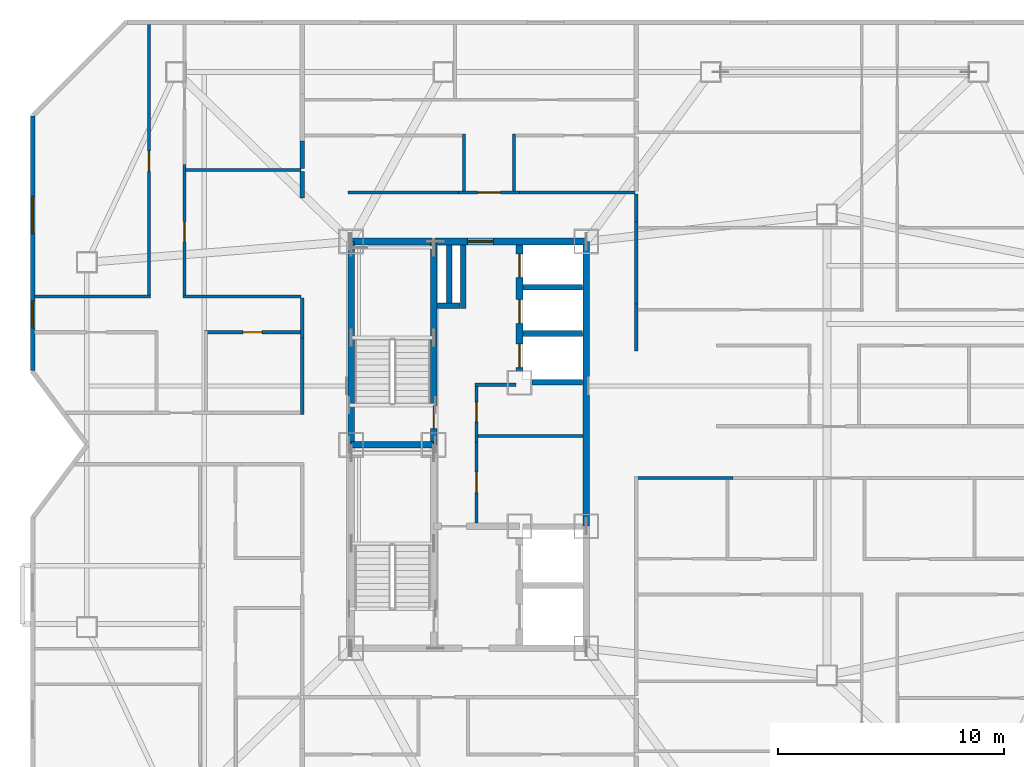
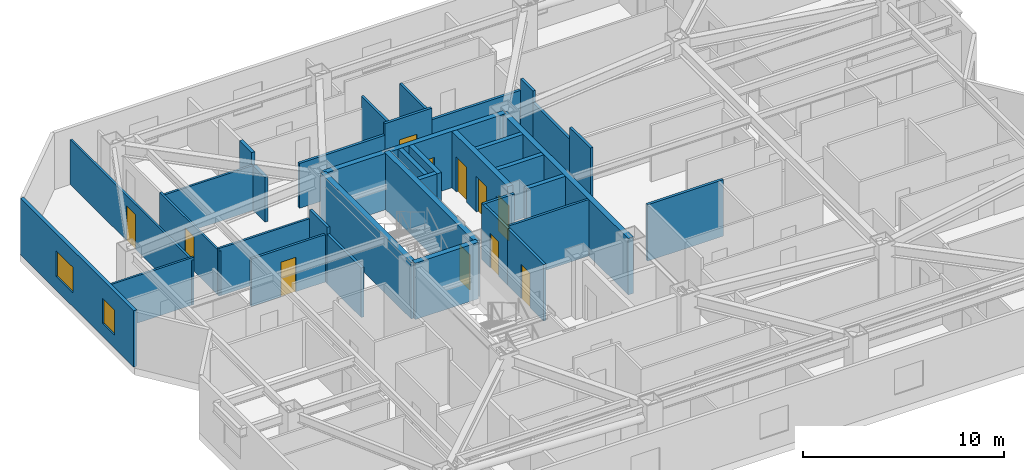
# One storey, part 7 of 11: 36 walls, 11 doors, 2 windows, 13 openings.
"""IFC4 building model written with IfcOpenShell, lengths in metres."""

from ifc_helpers import new_model, si_unit, direction, frame, frame_2d, origin, place, context, subcontext, project, spatial, rectangle, extrude, material, layer, layer_set, type_object, element, fill, save


model = new_model("IFC4")

# Units and contexts
model_context = context("Model", 3, precision=1e-05, world=origin(), true_north=direction((0.0, 1.0)))
body_context = subcontext(model_context, "Body", "Model", "MODEL_VIEW")
ifc_project = project(units=[si_unit("LENGTHUNIT", "METRE"), si_unit("AREAUNIT", "SQUARE_METRE"), si_unit("VOLUMEUNIT", "CUBIC_METRE"), si_unit("PLANEANGLEUNIT", "RADIAN"), si_unit("MASSUNIT", "GRAM", prefix="KILO")], contexts=[model_context])

# Site, building, storey
site_placement = place(None, origin())
site = spatial("IfcSite", under=ifc_project, at=site_placement, CompositionType="ELEMENT")
building_placement = place(site_placement, origin())
building = spatial("IfcBuilding", under=site, at=building_placement, Name="Khamvora Tower", CompositionType="ELEMENT")
storey_placement = place(building_placement, frame((0.0, 0.0, 155.89990234375)))
storey = spatial("IfcBuildingStorey", under=building, at=storey_placement, Name="L39", CompositionType="ELEMENT", Elevation=155.89990234375)

# Wall
ifc_material_1 = material(Name="Concrete C50/60", Category="concrete")
ifc_layer_1 = layer(ifc_material_1, 0.300048828125)
ifc_layer_set_1 = layer_set([ifc_layer_1], Name="Concrete C50/60")
wall_type_1 = type_object("IfcWallType", Name="WAL-CORE-300", PredefinedType="SHEAR", material=ifc_layer_set_1)
wall_1_placement = place(storey_placement, frame((29.0, 28.0, 0.0), z_axis=(0.0, 0.0, 1.0), x_axis=(0.0, 1.0, 0.0)))
element("IfcWall", 1, at=wall_1_placement, inside=storey, type_object=wall_type_1, Name="L39 central core west north wall", PredefinedType="SHEAR", context=body_context, shape_type="SweptSolid", body=[
    extrude(rectangle(XDim=9.0, YDim=0.300048828125, at=frame_2d((4.5, 0.0))), origin(), (0.0, 0.0, 1.0), 3.43017578125),
])

# Wall, opening, door
wall_2_placement = place(storey_placement, frame((29.0, 37.0, 0.0), z_axis=(0.0, 0.0, 1.0), x_axis=(1.0, 0.0, 0.0)))
wall_2 = element("IfcWall", 2, at=wall_2_placement, inside=storey, type_object=wall_type_1, Name="L39 central core north wall", PredefinedType="SHEAR", context=body_context, shape_type="SweptSolid", body=[
    extrude(rectangle(XDim=10.39990234375, YDim=0.300048828125, at=frame_2d((5.199951171875, 0.0))), origin(), (0.0, 0.0, 1.0), 3.43017578125),
])
opening_1_placement = place(wall_2_placement, frame((5.139892578125, 0.0, 0.0)))
opening_1 = element("IfcOpeningElement", 3, at=opening_1_placement, cuts=wall_2, Name="Opening D-SC1", PredefinedType="OPENING", context=body_context, shape_type="SweptSolid", body=[
    extrude(rectangle(XDim=1.14990234375, YDim=2.199951171875, at=frame_2d((0.574951171875, 1.10009765625))), frame((0.0, 0.159912109375, 0.0), z_axis=(0.0, -1.0, 0.0), x_axis=(1.0, 0.0, 0.0)), (0.0, 0.0, 1.0), 0.320068359375),
])
ifc_material_2 = material(Name="Powder-Coated Steel and Hardwood Leaf", Category="steel")
door_type_1 = type_object("IfcDoorType", Name="DOR-SCHL-1150", OperationType="NOTDEFINED", PredefinedType="DOOR", material=ifc_material_2)
door_1_placement = place(opening_1_placement, origin())
door_1 = element("IfcDoor", 4, at=door_1_placement, inside=storey, type_object=door_type_1, Name="L39 north core lobby to corridor fire door", OperationType="SINGLE_SWING_LEFT", OverallHeight=2.199951171875, OverallWidth=1.14990234375, PredefinedType="DOOR", context=body_context, shape_type="SweptSolid", body=[
    extrude(rectangle(XDim=1.14990234375, YDim=2.199951171875, at=frame_2d((0.574951171875, 1.10009765625))), frame((0.0, 0.02490234375, 0.0), z_axis=(0.0, -1.0, 0.0), x_axis=(1.0, 0.0, 0.0)), (0.0, 0.0, 1.0), 0.050048828125),
])
fill(opening_1, door_1)

# Wall
wall_3_placement = place(storey_placement, frame((39.39990234375, 24.39990234375, 0.0), z_axis=(0.0, 0.0, 1.0), x_axis=(0.0, 1.0, 0.0)))
element("IfcWall", 5, at=wall_3_placement, inside=storey, type_object=wall_type_1, Name="L39 central core east north wall", PredefinedType="SHEAR", context=body_context, shape_type="SweptSolid", body=[
    extrude(rectangle(XDim=12.60009765625, YDim=0.300048828125, at=frame_2d((6.300048828125, 0.0))), origin(), (0.0, 0.0, 1.0), 3.43017578125),
])

# Wall, opening, door
wall_4_placement = place(storey_placement, frame((32.64990234375, 28.0, 0.0), z_axis=(0.0, 0.0, 1.0), x_axis=(0.0, 1.0, 0.0)))
wall_4 = element("IfcWall", 6, at=wall_4_placement, inside=storey, type_object=wall_type_1, Name="L39 central core stair north spine wall", PredefinedType="SHEAR", context=body_context, shape_type="SweptSolid", body=[
    extrude(rectangle(XDim=9.0, YDim=0.300048828125, at=frame_2d((4.5, 0.0))), origin(), (0.0, 0.0, 1.0), 3.43017578125),
])
opening_2_placement = place(wall_4_placement, frame((0.719970703125, 0.0, 0.0)))
opening_2 = element("IfcOpeningElement", 7, at=opening_2_placement, cuts=wall_4, Name="Opening D-ST1", PredefinedType="OPENING", context=body_context, shape_type="SweptSolid", body=[
    extrude(rectangle(XDim=1.0, YDim=2.14990234375, at=frame_2d((0.5, 1.074951171875))), frame((0.0, 0.159912109375, 0.0), z_axis=(0.0, -1.0, 0.0), x_axis=(1.0, 0.0, 0.0)), (0.0, 0.0, 1.0), 0.320068359375),
])
door_type_2 = type_object("IfcDoorType", Name="DOR-STAIR-1000", OperationType="NOTDEFINED", PredefinedType="DOOR", material=ifc_material_2)
door_2_placement = place(opening_2_placement, origin())
door_2 = element("IfcDoor", 8, at=door_2_placement, inside=storey, type_object=door_type_2, Name="L39 exit stair ST-02 fire door", OperationType="SINGLE_SWING_RIGHT", OverallHeight=2.14990234375, OverallWidth=1.0, PredefinedType="DOOR", context=body_context, shape_type="SweptSolid", body=[
    extrude(rectangle(XDim=1.0, YDim=2.14990234375, at=frame_2d((0.5, 1.074951171875))), frame((0.0, 0.02490234375, 0.0), z_axis=(0.0, -1.0, 0.0), x_axis=(1.0, 0.0, 0.0)), (0.0, 0.0, 1.0), 0.050048828125),
])
fill(opening_2, door_2)

# Wall
wall_5_placement = place(storey_placement, frame((29.0, 28.0, 0.0), z_axis=(0.0, 0.0, 1.0), x_axis=(1.0, 0.0, 0.0)))
element("IfcWall", 9, at=wall_5_placement, inside=storey, type_object=wall_type_1, Name="L39 central core stair cross wall", PredefinedType="SHEAR", context=body_context, shape_type="SweptSolid", body=[
    extrude(rectangle(XDim=3.64990234375, YDim=0.300048828125, at=frame_2d((1.824951171875, 0.0))), origin(), (0.0, 0.0, 1.0), 3.43017578125),
])

# Wall, openings, doors
wall_6_placement = place(storey_placement, frame((36.449951171875, 31.300048828125, 0.0), z_axis=(0.0, 0.0, 1.0), x_axis=(0.0, 1.0, 0.0)))
wall_6 = element("IfcWall", 10, at=wall_6_placement, inside=storey, type_object=wall_type_1, Name="L39 central core lift bank central wall", PredefinedType="SHEAR", context=body_context, shape_type="SweptSolid", body=[
    extrude(rectangle(XDim=5.5458984375, YDim=0.300048828125, at=frame_2d((2.77294921875, 0.0))), origin(), (0.0, 0.0, 1.0), 3.43017578125),
])
opening_3_placement = place(wall_6_placement, frame((0.1201171875, 0.0, 0.0)))
opening_3 = element("IfcOpeningElement", 11, at=opening_3_placement, cuts=wall_6, Name="Opening LD-PL", PredefinedType="OPENING", context=body_context, shape_type="SweptSolid", body=[
    extrude(rectangle(XDim=1.050048828125, YDim=2.14990234375, at=frame_2d((0.52490234375, 1.074951171875))), frame((0.0, 0.159912109375, 0.0), z_axis=(0.0, -1.0, 0.0), x_axis=(1.0, 0.0, 0.0)), (0.0, 0.0, 1.0), 0.320068359375),
])
opening_4_placement = place(wall_6_placement, frame((2.074951171875, 0.0, 0.0)))
opening_4 = element("IfcOpeningElement", 12, at=opening_4_placement, cuts=wall_6, Name="Opening LD-PL", PredefinedType="OPENING", context=body_context, shape_type="SweptSolid", body=[
    extrude(rectangle(XDim=1.050048828125, YDim=2.14990234375, at=frame_2d((0.52490234375, 1.074951171875))), frame((0.0, 0.159912109375, 0.0), z_axis=(0.0, -1.0, 0.0), x_axis=(1.0, 0.0, 0.0)), (0.0, 0.0, 1.0), 0.320068359375),
])
opening_5_placement = place(wall_6_placement, frame((4.094970703125, 0.0, 0.0)))
opening_5 = element("IfcOpeningElement", 13, at=opening_5_placement, cuts=wall_6, Name="Opening LD-PL", PredefinedType="OPENING", context=body_context, shape_type="SweptSolid", body=[
    extrude(rectangle(XDim=1.050048828125, YDim=2.14990234375, at=frame_2d((0.52490234375, 1.074951171875))), frame((0.0, 0.159912109375, 0.0), z_axis=(0.0, -1.0, 0.0), x_axis=(1.0, 0.0, 0.0)), (0.0, 0.0, 1.0), 0.320068359375),
])
door_type_3 = type_object("IfcDoorType", Name="DOR-LIFT-1050", OperationType="SLIDING_TO_LEFT", PredefinedType="DOOR", material=ifc_material_2)
door_3_placement = place(opening_3_placement, origin())
door_3 = element("IfcDoor", 14, at=door_3_placement, inside=storey, type_object=door_type_3, Name="L39 lift landing sliding door PH-01", OperationType="SLIDING_TO_LEFT", OverallHeight=2.14990234375, OverallWidth=1.050048828125, PredefinedType="DOOR", context=body_context, shape_type="SweptSolid", body=[
    extrude(rectangle(XDim=1.050048828125, YDim=2.14990234375, at=frame_2d((0.52490234375, 1.074951171875))), frame((0.0, 0.02490234375, 0.0), z_axis=(0.0, -1.0, 0.0), x_axis=(1.0, 0.0, 0.0)), (0.0, 0.0, 1.0), 0.050048828125),
])
fill(opening_3, door_3)
door_4_placement = place(opening_4_placement, origin())
door_4 = element("IfcDoor", 15, at=door_4_placement, inside=storey, type_object=door_type_3, Name="L39 lift landing sliding door PH-02", OperationType="SLIDING_TO_LEFT", OverallHeight=2.14990234375, OverallWidth=1.050048828125, PredefinedType="DOOR", context=body_context, shape_type="SweptSolid", body=[
    extrude(rectangle(XDim=1.050048828125, YDim=2.14990234375, at=frame_2d((0.52490234375, 1.074951171875))), frame((0.0, 0.02490234375, 0.0), z_axis=(0.0, -1.0, 0.0), x_axis=(1.0, 0.0, 0.0)), (0.0, 0.0, 1.0), 0.050048828125),
])
fill(opening_4, door_4)
door_5_placement = place(opening_5_placement, origin())
door_5 = element("IfcDoor", 16, at=door_5_placement, inside=storey, type_object=door_type_3, Name="L39 lift landing sliding door PH-03", OperationType="SLIDING_TO_LEFT", OverallHeight=2.14990234375, OverallWidth=1.050048828125, PredefinedType="DOOR", context=body_context, shape_type="SweptSolid", body=[
    extrude(rectangle(XDim=1.050048828125, YDim=2.14990234375, at=frame_2d((0.52490234375, 1.074951171875))), frame((0.0, 0.02490234375, 0.0), z_axis=(0.0, -1.0, 0.0), x_axis=(1.0, 0.0, 0.0)), (0.0, 0.0, 1.0), 0.050048828125),
])
fill(opening_5, door_5)

# Wall
ifc_material_3 = material(Name="Fire-Rated Drywall and Steel Stud", Category="steel")
ifc_layer_2 = layer(ifc_material_3, 0.14990234375)
ifc_layer_set_2 = layer_set([ifc_layer_2], Name="Fire-Rated Drywall and Steel Stud")
wall_type_2 = type_object("IfcWallType", Name="WAL-CORR-150", PredefinedType="STANDARD", material=ifc_layer_set_2)
wall_7_placement = place(storey_placement, frame((36.300048828125, 30.6650390625, 0.0), z_axis=(0.0, 0.0, 1.0), x_axis=(-1.0, 0.0, 0.0)))
element("IfcWall", 17, at=wall_7_placement, inside=storey, type_object=wall_type_2, Name="L39 interior partition wall 001", PredefinedType="STANDARD", context=body_context, shape_type="SweptSolid", body=[
    extrude(rectangle(XDim=1.820068359375, YDim=0.14990234375, at=frame_2d((0.91015625, 0.0))), origin(), (0.0, 0.0, 1.0), 3.43017578125),
])

# Wall, opening, door
wall_8_placement = place(storey_placement, frame((34.544921875, 30.72998046875, 0.0), z_axis=(0.0, 0.0, 1.0), x_axis=(0.0, -1.0, 0.0)))
wall_8 = element("IfcWall", 18, at=wall_8_placement, inside=storey, type_object=wall_type_2, Name="L39 interior partition wall 002", PredefinedType="STANDARD", context=body_context, shape_type="SweptSolid", body=[
    extrude(rectangle(XDim=2.593994140625, YDim=0.14990234375, at=frame_2d((1.296875, 0.0))), origin(), (0.0, 0.0, 1.0), 3.43017578125),
])
opening_6_placement = place(wall_8_placement, frame((0.85107421875, 0.0, 0.0)))
opening_6 = element("IfcOpeningElement", 19, at=opening_6_placement, cuts=wall_8, Name="Opening D-WC1", PredefinedType="OPENING", context=body_context, shape_type="SweptSolid", body=[
    extrude(rectangle(XDim=0.85009765625, YDim=2.10009765625, at=frame_2d((0.425048828125, 1.050048828125))), frame((0.0, 0.0849609375, 0.0), z_axis=(0.0, -1.0, 0.0), x_axis=(1.0, 0.0, 0.0)), (0.0, 0.0, 1.0), 0.169921875),
])
door_type_4 = type_object("IfcDoorType", Name="DOR-WET-850", OperationType="NOTDEFINED", PredefinedType="DOOR", material=ifc_material_2)
door_6_placement = place(opening_6_placement, origin())
door_6 = element("IfcDoor", 20, at=door_6_placement, inside=storey, type_object=door_type_4, Name="L39 interior door PHL-CS1", OperationType="SINGLE_SWING_RIGHT", OverallHeight=2.10009765625, OverallWidth=0.85009765625, PredefinedType="DOOR", context=body_context, shape_type="SweptSolid", body=[
    extrude(rectangle(XDim=0.85009765625, YDim=2.10009765625, at=frame_2d((0.425048828125, 1.050048828125))), frame((0.0, 0.02490234375, 0.0), z_axis=(0.0, -1.0, 0.0), x_axis=(1.0, 0.0, 0.0)), (0.0, 0.0, 1.0), 0.050048828125),
])
fill(opening_6, door_6)

wall_9_placement = place(storey_placement, frame((34.544921875, 28.135986328125, 0.0), z_axis=(0.0, 0.0, 1.0), x_axis=(0.0, -1.0, 0.0)))
wall_9 = element("IfcWall", 21, at=wall_9_placement, inside=storey, type_object=wall_type_2, Name="L39 interior partition wall 003", PredefinedType="STANDARD", context=body_context, shape_type="SweptSolid", body=[
    extrude(rectangle(XDim=3.592041015625, YDim=0.14990234375, at=frame_2d((1.7958984375, 0.0))), origin(), (0.0, 0.0, 1.0), 3.43017578125),
])
opening_7_placement = place(wall_9_placement, frame((1.345947265625, 0.0, 0.0)))
opening_7 = element("IfcOpeningElement", 22, at=opening_7_placement, cuts=wall_9, Name="Opening D-RM1", PredefinedType="OPENING", context=body_context, shape_type="SweptSolid", body=[
    extrude(rectangle(XDim=0.89990234375, YDim=2.10009765625, at=frame_2d((0.449951171875, 1.050048828125))), frame((0.0, 0.0849609375, 0.0), z_axis=(0.0, -1.0, 0.0), x_axis=(1.0, 0.0, 0.0)), (0.0, 0.0, 1.0), 0.169921875),
])
door_type_5 = type_object("IfcDoorType", Name="DOR-ROOM-900", OperationType="NOTDEFINED", PredefinedType="DOOR", material=ifc_material_2)
door_7_placement = place(opening_7_placement, origin())
door_7 = element("IfcDoor", 23, at=door_7_placement, inside=storey, type_object=door_type_5, Name="L39 interior door PHL-CS2", OperationType="SINGLE_SWING_LEFT", OverallHeight=2.10009765625, OverallWidth=0.89990234375, PredefinedType="DOOR", context=body_context, shape_type="SweptSolid", body=[
    extrude(rectangle(XDim=0.89990234375, YDim=2.10009765625, at=frame_2d((0.449951171875, 1.050048828125))), frame((0.0, 0.02490234375, 0.0), z_axis=(0.0, -1.0, 0.0), x_axis=(1.0, 0.0, 0.0)), (0.0, 0.0, 1.0), 0.050048828125),
])
fill(opening_7, door_7)

# Walls
wall_10_placement = place(storey_placement, frame((26.8349609375, 32.73388671875, 0.0), z_axis=(0.0, 0.0, 1.0), x_axis=(0.0, 1.0, 0.0)))
element("IfcWall", 24, at=wall_10_placement, inside=storey, type_object=wall_type_2, Name="L39 interior partition wall 012", PredefinedType="STANDARD", context=body_context, shape_type="SweptSolid", body=[
    extrude(rectangle(XDim=1.76611328125, YDim=0.14990234375, at=frame_2d((0.883056640625, 0.0))), origin(), (0.0, 0.0, 1.0), 3.43017578125),
])
wall_11_placement = place(storey_placement, frame((26.8349609375, 29.35205078125, 0.0), z_axis=(0.0, 0.0, 1.0), x_axis=(0.0, 1.0, 0.0)))
element("IfcWall", 25, at=wall_11_placement, inside=storey, type_object=wall_type_2, Name="L39 interior partition wall 014", PredefinedType="STANDARD", context=body_context, shape_type="SweptSolid", body=[
    extrude(rectangle(XDim=3.3818359375, YDim=0.14990234375, at=frame_2d((1.69091796875, 0.0))), origin(), (0.0, 0.0, 1.0), 3.01318359375),
])

# Wall, opening, door
wall_12_placement = place(storey_placement, frame((33.75, 39.1650390625, 0.0), z_axis=(0.0, 0.0, 1.0), x_axis=(1.0, 0.0, 0.0)))
wall_12 = element("IfcWall", 26, at=wall_12_placement, inside=storey, type_object=wall_type_2, Name="L39 interior partition wall 019", PredefinedType="STANDARD", context=body_context, shape_type="SweptSolid", body=[
    extrude(rectangle(XDim=2.697998046875, YDim=0.14990234375, at=frame_2d((1.34912109375, 0.0))), origin(), (0.0, 0.0, 1.0), 3.43017578125),
])
opening_8_placement = place(wall_12_placement, frame((0.84912109375, 0.0, 0.0)))
opening_8 = element("IfcOpeningElement", 27, at=opening_8_placement, cuts=wall_12, Name="Opening D-U1", PredefinedType="OPENING", context=body_context, shape_type="SweptSolid", body=[
    extrude(rectangle(XDim=1.0, YDim=2.14990234375, at=frame_2d((0.5, 1.074951171875))), frame((0.0, 0.0849609375, 0.0), z_axis=(0.0, -1.0, 0.0), x_axis=(1.0, 0.0, 0.0)), (0.0, 0.0, 1.0), 0.169921875),
])
door_type_6 = type_object("IfcDoorType", Name="DOR-UNIT-1000", OperationType="NOTDEFINED", PredefinedType="DOOR", material=ifc_material_2)
door_8_placement = place(opening_8_placement, origin())
door_8 = element("IfcDoor", 28, at=door_8_placement, inside=storey, type_object=door_type_6, Name="L39 interior door COR-39NAH", OperationType="SINGLE_SWING_LEFT", OverallHeight=2.14990234375, OverallWidth=1.0, PredefinedType="DOOR", context=body_context, shape_type="SweptSolid", body=[
    extrude(rectangle(XDim=1.0, YDim=2.14990234375, at=frame_2d((0.5, 1.074951171875))), frame((0.0, 0.02490234375, 0.0), z_axis=(0.0, -1.0, 0.0), x_axis=(1.0, 0.0, 0.0)), (0.0, 0.0, 1.0), 0.050048828125),
])
fill(opening_8, door_8)

# Walls
wall_13_placement = place(storey_placement, frame((36.447998046875, 39.1650390625, 0.0), z_axis=(0.0, 0.0, 1.0), x_axis=(1.0, 0.0, 0.0)))
element("IfcWall", 29, at=wall_13_placement, inside=storey, type_object=wall_type_2, Name="L39 interior partition wall 020", PredefinedType="STANDARD", context=body_context, shape_type="SweptSolid", body=[
    extrude(rectangle(XDim=5.10205078125, YDim=0.14990234375, at=frame_2d((2.551025390625, 0.0))), origin(), (0.0, 0.0, 1.0), 2.72509765625),
])
wall_14_placement = place(storey_placement, frame((28.85009765625, 39.1650390625, 0.0), z_axis=(0.0, 0.0, 1.0), x_axis=(1.0, 0.0, 0.0)))
element("IfcWall", 30, at=wall_14_placement, inside=storey, type_object=wall_type_2, Name="L39 interior partition wall 021", PredefinedType="STANDARD", context=body_context, shape_type="SweptSolid", body=[
    extrude(rectangle(XDim=4.89990234375, YDim=0.14990234375, at=frame_2d((2.449951171875, 0.0))), origin(), (0.0, 0.0, 1.0), 2.72509765625),
])
wall_15_placement = place(storey_placement, frame((45.902099609375, 26.534912109375, 0.0), z_axis=(0.0, 0.0, 1.0), x_axis=(-1.0, 0.0, 0.0)))
element("IfcWall", 31, at=wall_15_placement, inside=storey, type_object=wall_type_2, Name="L39 interior partition wall 022", PredefinedType="STANDARD", context=body_context, shape_type="SweptSolid", body=[
    extrude(rectangle(XDim=4.35205078125, YDim=0.14990234375, at=frame_2d((2.176025390625, 0.0))), origin(), (0.0, 0.0, 1.0), 3.43017578125),
])
wall_16_placement = place(storey_placement, frame((41.614990234375, 34.22412109375, 0.0), z_axis=(0.0, 0.0, 1.0), x_axis=(0.0, -1.0, 0.0)))
element("IfcWall", 32, at=wall_16_placement, inside=storey, type_object=wall_type_2, Name="L39 interior partition wall 032", PredefinedType="STANDARD", context=body_context, shape_type="SweptSolid", body=[
    extrude(rectangle(XDim=2.078125, YDim=0.14990234375, at=frame_2d((1.0390625, 0.0))), origin(), (0.0, 0.0, 1.0), 3.43017578125),
])
wall_17_placement = place(storey_placement, frame((41.614990234375, 37.862060546875, 0.0), z_axis=(0.0, 0.0, 1.0), x_axis=(0.0, -1.0, 0.0)))
element("IfcWall", 33, at=wall_17_placement, inside=storey, type_object=wall_type_2, Name="L39 interior partition wall 036", PredefinedType="STANDARD", context=body_context, shape_type="SweptSolid", body=[
    extrude(rectangle(XDim=3.637939453125, YDim=0.14990234375, at=frame_2d((1.81884765625, 0.0))), origin(), (0.0, 0.0, 1.0), 2.72509765625),
])
wall_18_placement = place(storey_placement, frame((41.614990234375, 39.10009765625, 0.0), z_axis=(0.0, 0.0, 1.0), x_axis=(0.0, -1.0, 0.0)))
element("IfcWall", 34, at=wall_18_placement, inside=storey, type_object=wall_type_2, Name="L39 interior partition wall 037", PredefinedType="STANDARD", context=body_context, shape_type="SweptSolid", body=[
    extrude(rectangle(XDim=1.238037109375, YDim=0.14990234375, at=frame_2d((0.619140625, 0.0))), origin(), (0.0, 0.0, 1.0), 3.43017578125),
])
ifc_material_4 = material(Name="Acoustic Double-Stud Fire Wall", Category="gypsum")
ifc_layer_3 = layer(ifc_material_4, 0.179931640625)
ifc_layer_set_3 = layer_set([ifc_layer_3], Name="Acoustic Double-Stud Fire Wall")
wall_type_3 = type_object("IfcWallType", Name="WAL-CORR-180", PredefinedType="STANDARD", material=ifc_layer_set_3)
wall_19_placement = place(storey_placement, frame((26.8349609375, 40.094970703125, 0.0), z_axis=(0.0, 0.0, 1.0), x_axis=(0.0, -1.0, 0.0)))
element("IfcWall", 35, at=wall_19_placement, inside=storey, type_object=wall_type_3, Name="L39 interior partition wall 061", PredefinedType="STANDARD", context=body_context, shape_type="SweptSolid", body=[
    extrude(rectangle(XDim=1.178955078125, YDim=0.179931640625, at=frame_2d((0.58935546875, 0.0))), origin(), (0.0, 0.0, 1.0), 2.72509765625),
])
wall_20_placement = place(storey_placement, frame((26.8349609375, 41.446044921875, 0.0), z_axis=(0.0, 0.0, 1.0), x_axis=(0.0, -1.0, 0.0)))
element("IfcWall", 36, at=wall_20_placement, inside=storey, type_object=wall_type_3, Name="L39 interior partition wall 063", PredefinedType="STANDARD", context=body_context, shape_type="SweptSolid", body=[
    extrude(rectangle(XDim=1.220947265625, YDim=0.179931640625, at=frame_2d((0.6103515625, 0.0))), origin(), (0.0, 0.0, 1.0), 3.43017578125),
])

# Wall, openings, windows
ifc_material_5 = material(Name="Precast concrete C40/50", Category="concrete")
ifc_layer_4 = layer(ifc_material_5, 0.199951171875)
ifc_layer_set_4 = layer_set([ifc_layer_4], Name="Precast concrete C40/50")
wall_type_4 = type_object("IfcWallType", Name="WAL-EXT-200", PredefinedType="STANDARD", material=ifc_layer_set_4)
wall_21_placement = place(storey_placement, frame((14.89990234375, 31.283935546875, 0.0), z_axis=(0.0, 0.0, 1.0), x_axis=(0.0, 1.0, 0.0)))
wall_21 = element("IfcWall", 37, at=wall_21_placement, inside=storey, type_object=wall_type_4, Name="L39 exterior facade wall 05.1", PredefinedType="STANDARD", context=body_context, shape_type="SweptSolid", body=[
    extrude(rectangle(XDim=11.275146484375, YDim=0.199951171875, at=frame_2d((5.6376953125, 0.0))), origin(), (0.0, 0.0, 1.0), 3.43017578125),
])
opening_9_placement = place(wall_21_placement, frame((1.888916015625, 0.0, 0.800048828125)))
opening_9 = element("IfcOpeningElement", 38, at=opening_9_placement, cuts=wall_21, Name="Opening WN-03", PredefinedType="OPENING", context=body_context, shape_type="SweptSolid", body=[
    extrude(rectangle(XDim=1.199951171875, YDim=1.5, at=frame_2d((0.60009765625, 0.75))), frame((0.0, 0.10986328125, 0.0), z_axis=(0.0, -1.0, 0.0), x_axis=(1.0, 0.0, 0.0)), (0.0, 0.0, 1.0), 0.219970703125),
])
opening_10_placement = place(wall_21_placement, frame((6.06005859375, 0.0, 0.85009765625)))
opening_10 = element("IfcOpeningElement", 39, at=opening_10_placement, cuts=wall_21, Name="Opening WN-06", PredefinedType="OPENING", context=body_context, shape_type="SweptSolid", body=[
    extrude(rectangle(XDim=1.64990234375, YDim=1.550048828125, at=frame_2d((0.824951171875, 0.77490234375))), frame((0.0, 0.10986328125, 0.0), z_axis=(0.0, -1.0, 0.0), x_axis=(1.0, 0.0, 0.0)), (0.0, 0.0, 1.0), 0.219970703125),
])
ifc_material_6 = material(Name="Low-E Laminated Double Glazing", Category="glass")
window_type_1 = type_object("IfcWindowType", Name="WIN-VIS-1200x1500", PartitioningType="SINGLE_PANEL", PredefinedType="WINDOW", material=ifc_material_6)
window_1_placement = place(opening_9_placement, origin())
window_1 = element("IfcWindow", 40, at=window_1_placement, inside=storey, type_object=window_type_1, Name="L39 vision window 05.1.01", OverallHeight=1.5, OverallWidth=1.199951171875, PartitioningType="SINGLE_PANEL", PredefinedType="WINDOW", context=body_context, shape_type="SweptSolid", body=[
    extrude(rectangle(XDim=1.199951171875, YDim=1.5, at=frame_2d((0.60009765625, 0.75))), frame((0.0, 0.030029296875, 0.0), z_axis=(0.0, -1.0, 0.0), x_axis=(1.0, 0.0, 0.0)), (0.0, 0.0, 1.0), 0.06005859375),
])
fill(opening_9, window_1)
window_type_2 = type_object("IfcWindowType", Name="WIN-VIS-1650x1550", PartitioningType="SINGLE_PANEL", PredefinedType="WINDOW", material=ifc_material_6)
window_2_placement = place(opening_10_placement, origin())
window_2 = element("IfcWindow", 41, at=window_2_placement, inside=storey, type_object=window_type_2, Name="L39 vision window 05.1.02", OverallHeight=1.550048828125, OverallWidth=1.64990234375, PartitioningType="SINGLE_PANEL", PredefinedType="WINDOW", context=body_context, shape_type="SweptSolid", body=[
    extrude(rectangle(XDim=1.64990234375, YDim=1.550048828125, at=frame_2d((0.824951171875, 0.77490234375))), frame((0.0, 0.030029296875, 0.0), z_axis=(0.0, -1.0, 0.0), x_axis=(1.0, 0.0, 0.0)), (0.0, 0.0, 1.0), 0.06005859375),
])
fill(opening_10, window_2)

# Wall
ifc_material_7 = material(Name="Gypsum Plasterboard Partition", Category="gypsum")
ifc_layer_5 = layer(ifc_material_7, 0.1201171875)
ifc_layer_set_5 = layer_set([ifc_layer_5], Name="Gypsum Plasterboard Partition")
wall_type_5 = type_object("IfcWallType", Name="WAL-PART-120", PredefinedType="PARTITIONING", material=ifc_layer_set_5)
wall_22_placement = place(storey_placement, frame((14.991943359375, 34.56298828125, 0.0), z_axis=(0.0, 0.0, 1.0), x_axis=(1.0, 0.0, 0.0)))
element("IfcWall", 42, at=wall_22_placement, inside=storey, type_object=wall_type_5, Name="L39 interior partition wall 055", PredefinedType="PARTITIONING", context=body_context, shape_type="SweptSolid", body=[
    extrude(rectangle(XDim=5.128173828125, YDim=0.1201171875, at=frame_2d((2.56396484375, 0.0))), origin(), (0.0, 0.0, 1.0), 2.8759765625),
])

# Wall, opening, door
wall_23_placement = place(storey_placement, frame((20.054931640625, 34.498046875, 0.0), z_axis=(0.0, 0.0, 1.0), x_axis=(0.0, 1.0, 0.0)))
wall_23 = element("IfcWall", 43, at=wall_23_placement, inside=storey, type_object=wall_type_5, Name="L39 interior partition wall 056", PredefinedType="PARTITIONING", context=body_context, shape_type="SweptSolid", body=[
    extrude(rectangle(XDim=12.10986328125, YDim=0.1201171875, at=frame_2d((6.054931640625, 0.0))), origin(), (0.0, 0.0, 1.0), 2.72509765625),
])
opening_11_placement = place(wall_23_placement, frame((5.60498046875, 0.0, 0.0)))
opening_11 = element("IfcOpeningElement", 44, at=opening_11_placement, cuts=wall_23, Name="Opening D-RM1", PredefinedType="OPENING", context=body_context, shape_type="SweptSolid", body=[
    extrude(rectangle(XDim=0.89990234375, YDim=2.10009765625, at=frame_2d((0.449951171875, 1.050048828125))), frame((0.0, 0.070068359375, 0.0), z_axis=(0.0, -1.0, 0.0), x_axis=(1.0, 0.0, 0.0)), (0.0, 0.0, 1.0), 0.14013671875),
])
door_9_placement = place(opening_11_placement, origin())
door_9 = element("IfcDoor", 45, at=door_9_placement, inside=storey, type_object=door_type_5, Name="L39 interior door 39WBH-39WBR1", OperationType="SINGLE_SWING_LEFT", OverallHeight=2.10009765625, OverallWidth=0.89990234375, PredefinedType="DOOR", context=body_context, shape_type="SweptSolid", body=[
    extrude(rectangle(XDim=0.89990234375, YDim=2.10009765625, at=frame_2d((0.449951171875, 1.050048828125))), frame((0.0, 0.02490234375, 0.0), z_axis=(0.0, -1.0, 0.0), x_axis=(1.0, 0.0, 0.0)), (0.0, 0.0, 1.0), 0.050048828125),
])
fill(opening_11, door_9)

# Wall
wall_24_placement = place(storey_placement, frame((21.56005859375, 34.56298828125, 0.0), z_axis=(0.0, 0.0, 1.0), x_axis=(1.0, 0.0, 0.0)))
element("IfcWall", 46, at=wall_24_placement, inside=storey, type_object=wall_type_5, Name="L39 interior partition wall 057", PredefinedType="PARTITIONING", context=body_context, shape_type="SweptSolid", body=[
    extrude(rectangle(XDim=5.2099609375, YDim=0.1201171875, at=frame_2d((2.60498046875, 0.0))), origin(), (0.0, 0.0, 1.0), 2.88720703125),
])

# Wall, opening, door
wall_25_placement = place(storey_placement, frame((21.625, 40.408935546875, 0.0), z_axis=(0.0, 0.0, 1.0), x_axis=(0.0, -1.0, 0.0)))
wall_25 = element("IfcWall", 47, at=wall_25_placement, inside=storey, type_object=wall_type_5, Name="L39 interior partition wall 058", PredefinedType="PARTITIONING", context=body_context, shape_type="SweptSolid", body=[
    extrude(rectangle(XDim=5.910888671875, YDim=0.1201171875, at=frame_2d((2.95556640625, 0.0))), origin(), (0.0, 0.0, 1.0), 2.72509765625),
])
opening_12_placement = place(wall_25_placement, frame((2.52587890625, 0.0, 0.0)))
opening_12 = element("IfcOpeningElement", 48, at=opening_12_placement, cuts=wall_25, Name="Opening D-RM1", PredefinedType="OPENING", context=body_context, shape_type="SweptSolid", body=[
    extrude(rectangle(XDim=0.89990234375, YDim=2.10009765625, at=frame_2d((0.449951171875, 1.050048828125))), frame((0.0, 0.070068359375, 0.0), z_axis=(0.0, -1.0, 0.0), x_axis=(1.0, 0.0, 0.0)), (0.0, 0.0, 1.0), 0.14013671875),
])
door_10_placement = place(opening_12_placement, origin())
door_10 = element("IfcDoor", 49, at=door_10_placement, inside=storey, type_object=door_type_5, Name="L39 interior door 39WBH-39WBR2", OperationType="SINGLE_SWING_RIGHT", OverallHeight=2.10009765625, OverallWidth=0.89990234375, PredefinedType="DOOR", context=body_context, shape_type="SweptSolid", body=[
    extrude(rectangle(XDim=0.89990234375, YDim=2.10009765625, at=frame_2d((0.449951171875, 1.050048828125))), frame((0.0, 0.02490234375, 0.0), z_axis=(0.0, -1.0, 0.0), x_axis=(1.0, 0.0, 0.0)), (0.0, 0.0, 1.0), 0.050048828125),
])
fill(opening_12, door_10)

# Walls
wall_26_placement = place(storey_placement, frame((21.678955078125, 40.159912109375, 0.0), z_axis=(0.0, 0.0, 1.0), x_axis=(1.0, 0.0, 0.0)))
element("IfcWall", 50, at=wall_26_placement, inside=storey, type_object=wall_type_5, Name="L39 interior partition wall 060", PredefinedType="PARTITIONING", context=body_context, shape_type="SweptSolid", body=[
    extrude(rectangle(XDim=5.091064453125, YDim=0.1201171875, at=frame_2d((2.54541015625, 0.0))), origin(), (0.0, 0.0, 1.0), 2.72509765625),
])
ifc_material_8 = material(Name="Concrete C40/50", Category="concrete")
ifc_layer_6 = layer(ifc_material_8, 0.25)
ifc_layer_set_6 = layer_set([ifc_layer_6], Name="Concrete C40/50")
wall_type_6 = type_object("IfcWallType", Name="WAL-PODS-250", PredefinedType="SHEAR", material=ifc_layer_set_6)
wall_27_placement = place(storey_placement, frame((37.00390625, 30.77490234375, 0.0), z_axis=(0.0, 0.0, 1.0), x_axis=(1.0, 0.0, 0.0)))
element("IfcWall", 51, at=wall_27_placement, inside=storey, type_object=wall_type_6, Name="L39 high-rise lift shaft south enclosure wall PH-01", PredefinedType="SHEAR", context=body_context, shape_type="SweptSolid", body=[
    extrude(rectangle(XDim=2.2421875, YDim=0.25, at=frame_2d((1.12109375, 0.0))), origin(), (0.0, 0.0, 1.0), 3.43017578125),
])
for number, where, z_axis, x_axis, name in (
    (52, (36.60400390625, 32.925048828125, 0.0), (0.0, 0.0, 1.0), (1.0, 0.0, 0.0), "L39 lift shaft divider wall PH-01"),
    (53, (36.60400390625, 34.97509765625, 0.0), (0.0, 0.0, 1.0), (1.0, 0.0, 0.0), "L39 lift shaft divider wall PH-02"),
):
    element("IfcWall", number, at=place(storey_placement, frame(where, z_axis=z_axis, x_axis=x_axis)), inside=storey, type_object=wall_type_6, Name=name, PredefinedType="SHEAR", context=body_context, shape_type="SweptSolid", body=[
        extrude(rectangle(XDim=2.64208984375, YDim=0.25, at=frame_2d((1.321044921875, 0.0))), origin(), (0.0, 0.0, 1.0), 3.43017578125),
    ])
wall_28_placement = place(storey_placement, frame((33.955078125, 34.02490234375, 0.0), z_axis=(0.0, 0.0, 1.0), x_axis=(0.0, 1.0, 0.0)))
element("IfcWall", 54, at=wall_28_placement, inside=storey, type_object=wall_type_6, Name="L39 vertical MEP riser shaft east enclosure wall", PredefinedType="SHEAR", context=body_context, shape_type="SweptSolid", body=[
    extrude(rectangle(XDim=2.821044921875, YDim=0.25, at=frame_2d((1.41064453125, 0.0))), origin(), (0.0, 0.0, 1.0), 3.43017578125),
])
wall_29_placement = place(storey_placement, frame((32.803955078125, 34.14990234375, 0.0), z_axis=(0.0, 0.0, 1.0), x_axis=(1.0, 0.0, 0.0)))
element("IfcWall", 55, at=wall_29_placement, inside=storey, type_object=wall_type_6, Name="L39 vertical MEP riser shaft south enclosure wall", PredefinedType="SHEAR", context=body_context, shape_type="SweptSolid", body=[
    extrude(rectangle(XDim=1.02197265625, YDim=0.25, at=frame_2d((0.510986328125, 0.0))), origin(), (0.0, 0.0, 1.0), 3.43017578125),
])
wall_30_placement = place(storey_placement, frame((33.340087890625, 34.279052734375, 0.0), z_axis=(0.0, 0.0, 1.0), x_axis=(0.0, 1.0, 0.0)))
element("IfcWall", 56, at=wall_30_placement, inside=storey, type_object=wall_type_6, Name="L39 vertical MEP riser shaft divider enclosure wall", PredefinedType="SHEAR", context=body_context, shape_type="SweptSolid", body=[
    extrude(rectangle(XDim=2.56689453125, YDim=0.25, at=frame_2d((1.283447265625, 0.0))), origin(), (0.0, 0.0, 1.0), 3.43017578125),
])
ifc_material_9 = material(Name="Moisture-Resistant Plasterboard Partition", Category="gypsum")
ifc_layer_7 = layer(ifc_material_9, 0.135009765625)
ifc_layer_set_7 = layer_set([ifc_layer_7], Name="Moisture-Resistant Plasterboard Partition")
wall_type_7 = type_object("IfcWallType", Name="WAL-WET-135", PredefinedType="PARTITIONING", material=ifc_layer_set_7)
wall_31_placement = place(storey_placement, frame((39.256103515625, 28.385009765625, 0.0), z_axis=(0.0, 0.0, 1.0), x_axis=(-1.0, 0.0, 0.0)))
element("IfcWall", 57, at=wall_31_placement, inside=storey, type_object=wall_type_7, Name="L39 interior partition wall 004", PredefinedType="PARTITIONING", context=body_context, shape_type="SweptSolid", body=[
    extrude(rectangle(XDim=4.64404296875, YDim=0.135009765625, at=frame_2d((2.322021484375, 0.0))), origin(), (0.0, 0.0, 1.0), 3.43017578125),
])

# Wall, opening, door
wall_32_placement = place(storey_placement, frame((26.77001953125, 32.98291015625, 0.0), z_axis=(0.0, 0.0, 1.0), x_axis=(-1.0, 0.0, 0.0)))
wall_32 = element("IfcWall", 58, at=wall_32_placement, inside=storey, type_object=wall_type_7, Name="L39 interior partition wall 051", PredefinedType="PARTITIONING", context=body_context, shape_type="SweptSolid", body=[
    extrude(rectangle(XDim=4.259033203125, YDim=0.135009765625, at=frame_2d((2.12939453125, 0.0))), origin(), (0.0, 0.0, 1.0), 2.88720703125),
])
opening_13_placement = place(wall_32_placement, frame((1.705078125, 0.0, 0.0)))
opening_13 = element("IfcOpeningElement", 59, at=opening_13_placement, cuts=wall_32, Name="Opening D-WC1", PredefinedType="OPENING", context=body_context, shape_type="SweptSolid", body=[
    extrude(rectangle(XDim=0.85009765625, YDim=2.10009765625, at=frame_2d((0.425048828125, 1.050048828125))), frame((0.0, 0.077392578125, 0.0), z_axis=(0.0, -1.0, 0.0), x_axis=(1.0, 0.0, 0.0)), (0.0, 0.0, 1.0), 0.155029296875),
])
door_11_placement = place(opening_13_placement, origin())
door_11 = element("IfcDoor", 60, at=door_11_placement, inside=storey, type_object=door_type_4, Name="L39 interior door 39WBH-39WBB", OperationType="SINGLE_SWING_LEFT", OverallHeight=2.10009765625, OverallWidth=0.85009765625, PredefinedType="DOOR", context=body_context, shape_type="SweptSolid", body=[
    extrude(rectangle(XDim=0.85009765625, YDim=2.10009765625, at=frame_2d((0.425048828125, 1.050048828125))), frame((0.0, 0.02490234375, 0.0), z_axis=(0.0, -1.0, 0.0), x_axis=(1.0, 0.0, 0.0)), (0.0, 0.0, 1.0), 0.050048828125),
])
fill(opening_13, door_11)

# Walls
for number, where, z_axis, x_axis, name in (
    (61, (36.198974609375, 41.760009765625, 0.0), (0.0, 0.0, 1.0), (0.0, -1.0, 0.0), "L39 interior partition wall 077"),
    (62, (33.9990234375, 39.23193359375, 0.0), (0.0, 0.0, 1.0), (0.0, 1.0, 0.0), "L39 interior partition wall 078"),
):
    element("IfcWall", number, at=place(storey_placement, frame(where, z_axis=z_axis, x_axis=x_axis)), inside=storey, type_object=wall_type_7, Name=name, PredefinedType="PARTITIONING", context=body_context, shape_type="SweptSolid", body=[
        extrude(rectangle(XDim=2.528076171875, YDim=0.135009765625, at=frame_2d((1.26416015625, 0.0))), origin(), (0.0, 0.0, 1.0), 3.43017578125),
    ])

save(model, "model.ifc")
